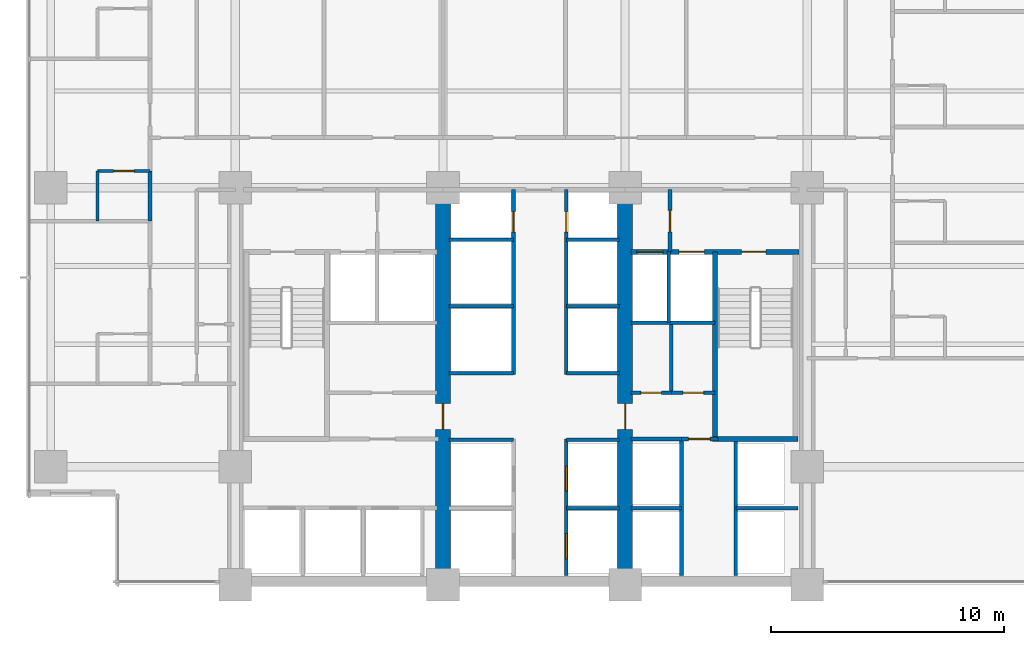
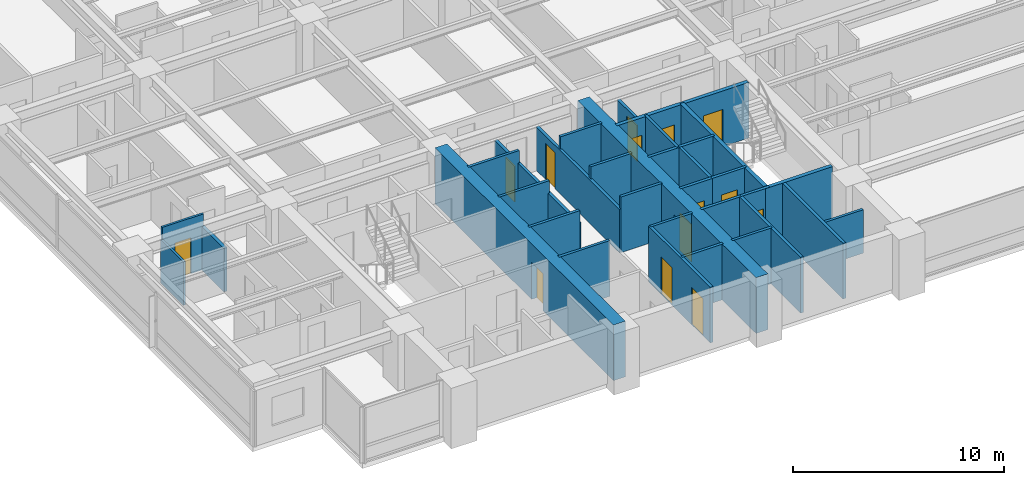
# One storey, part 8 of 17: 32 walls, 14 doors, 14 openings.
"""IFC4 building model written with IfcOpenShell, lengths in metres."""

from ifc_helpers import new_model, si_unit, direction, frame, frame_2d, origin, place, context, subcontext, project, spatial, rectangle, extrude, material, layer, layer_set, type_object, element, fill, save


model = new_model("IFC4")

# Units and contexts
model_context = context("Model", 3, precision=1e-05, world=origin(), true_north=direction((0.0, 1.0)))
body_context = subcontext(model_context, "Body", "Model", "MODEL_VIEW")
ifc_project = project(units=[si_unit("LENGTHUNIT", "METRE"), si_unit("AREAUNIT", "SQUARE_METRE"), si_unit("VOLUMEUNIT", "CUBIC_METRE"), si_unit("PLANEANGLEUNIT", "RADIAN"), si_unit("MASSUNIT", "GRAM", prefix="KILO")], contexts=[model_context])

# Site, building, storey
site_placement = place(None, origin())
site = spatial("IfcSite", under=ifc_project, at=site_placement, CompositionType="ELEMENT")
building_placement = place(site_placement, origin())
building = spatial("IfcBuilding", under=site, at=building_placement, Name="Qalmaran Belvedere Hotel", CompositionType="ELEMENT")
storey_placement = place(building_placement, frame((0.0, 0.0, 40.39990234375)))
storey = spatial("IfcBuildingStorey", under=building, at=storey_placement, Name="L09", CompositionType="ELEMENT", Elevation=40.39990234375)

# Wall, opening, door
ifc_material_1 = material(Name="Concrete C60/75", Category="concrete")
ifc_layer_1 = layer(ifc_material_1, 0.64990234375, Name="Concrete C60/75")
ifc_layer_set_1 = layer_set([ifc_layer_1], Name="Concrete C60/75")
wall_type_1 = type_object("IfcWallType", Name="WL-CORE-650-C60", PredefinedType="SHEAR", material=ifc_layer_set_1)
wall_1_placement = place(storey_placement, frame((29.199951171875, 3.5, 0.0), z_axis=(0.0, 0.0, 1.0), x_axis=(0.0, 1.0, 0.0)))
wall_1 = element("IfcWall", 1, at=wall_1_placement, inside=storey, type_object=wall_type_1, Name="L09 Core West Spine Shear Wall", PredefinedType="SHEAR", context=body_context, shape_type="SweptSolid", body=[
    extrude(rectangle(XDim=16.89990234375, YDim=0.64990234375, at=frame_2d((8.449951171875, 0.0))), origin(), (0.0, 0.0, 1.0), 3.22021484375),
])
opening_1_placement = place(wall_1_placement, frame((7.75, 0.0, 0.0), z_axis=(0.0, 0.0, 1.0), x_axis=(-1.0, 0.0, 0.0)))
opening_1 = element("IfcOpeningElement", 2, at=opening_1_placement, cuts=wall_1, Name="Opening FD90", PredefinedType="OPENING", context=body_context, shape_type="SweptSolid", body=[
    extrude(rectangle(XDim=1.10009765625, YDim=2.14990234375, at=frame_2d((0.550048828125, 1.074951171875))), frame((0.0, 0.3349609375, 0.0), z_axis=(0.0, -1.0, 0.0), x_axis=(1.0, 0.0, 0.0)), (0.0, 0.0, 1.0), 0.669921875),
])
ifc_material_2 = material(Name="Steel S355JR", Category="steel")
door_type_1 = type_object("IfcDoorType", Name="DR-FD90-1100X2150", OperationType="NOTDEFINED", PredefinedType="DOOR", material=ifc_material_2)
door_1_placement = place(opening_1_placement, origin())
door_1 = element("IfcDoor", 3, at=door_1_placement, inside=storey, type_object=door_type_1, Name="L09 Core West Cross-Lobby Door", OperationType="SINGLE_SWING_RIGHT", OverallHeight=2.14990234375, OverallWidth=1.10009765625, PredefinedType="DOOR", context=body_context, shape_type="SweptSolid", body=[
    extrude(rectangle(XDim=1.10009765625, YDim=2.14990234375, at=frame_2d((0.550048828125, 1.074951171875))), frame((0.0, 0.02490234375, 0.0), z_axis=(0.0, -1.0, 0.0), x_axis=(1.0, 0.0, 0.0)), (0.0, 0.0, 1.0), 0.050048828125),
])
fill(opening_1, door_1)

wall_2_placement = place(storey_placement, frame((37.0, 3.5, 0.0), z_axis=(0.0, 0.0, 1.0), x_axis=(0.0, 1.0, 0.0)))
wall_2 = element("IfcWall", 4, at=wall_2_placement, inside=storey, type_object=wall_type_1, Name="L09 Core East Spine Shear Wall", PredefinedType="SHEAR", context=body_context, shape_type="SweptSolid", body=[
    extrude(rectangle(XDim=16.89990234375, YDim=0.64990234375, at=frame_2d((8.449951171875, 0.0))), origin(), (0.0, 0.0, 1.0), 3.22021484375),
])
opening_2_placement = place(wall_2_placement, frame((6.64990234375, 0.0, 0.0)))
opening_2 = element("IfcOpeningElement", 5, at=opening_2_placement, cuts=wall_2, Name="Opening FD90", PredefinedType="OPENING", context=body_context, shape_type="SweptSolid", body=[
    extrude(rectangle(XDim=1.10009765625, YDim=2.14990234375, at=frame_2d((0.550048828125, 1.074951171875))), frame((0.0, 0.3349609375, 0.0), z_axis=(0.0, -1.0, 0.0), x_axis=(1.0, 0.0, 0.0)), (0.0, 0.0, 1.0), 0.669921875),
])
door_2_placement = place(opening_2_placement, origin())
door_2 = element("IfcDoor", 6, at=door_2_placement, inside=storey, type_object=door_type_1, Name="L09 Core East Cross-Lobby Door", OperationType="SINGLE_SWING_LEFT", OverallHeight=2.14990234375, OverallWidth=1.10009765625, PredefinedType="DOOR", context=body_context, shape_type="SweptSolid", body=[
    extrude(rectangle(XDim=1.10009765625, YDim=2.14990234375, at=frame_2d((0.550048828125, 1.074951171875))), frame((0.0, 0.02490234375, 0.0), z_axis=(0.0, -1.0, 0.0), x_axis=(1.0, 0.0, 0.0)), (0.0, 0.0, 1.0), 0.050048828125),
])
fill(opening_2, door_2)

ifc_material_3 = material(Name="Moisture-Resistant Gypsum")
ifc_layer_2 = layer(ifc_material_3, 0.1201171875, Name="Moisture-Resistant Gypsum")
ifc_layer_set_2 = layer_set([ifc_layer_2], Name="Moisture-Resistant Gypsum")
wall_type_2 = type_object("IfcWallType", Name="WL-INT-120-BATH", PredefinedType="PARTITIONING", material=ifc_layer_set_2)
wall_3_placement = place(storey_placement, frame((14.39990234375, 21.216796875, 0.0), z_axis=(0.0, 0.0, 1.0), x_axis=(1.0, 0.0, 0.0)))
wall_3 = element("IfcWall", 7, at=wall_3_placement, inside=storey, type_object=wall_type_2, Name="L09 Partition WL-L09-WBN01", PredefinedType="PARTITIONING", context=body_context, shape_type="SweptSolid", body=[
    extrude(rectangle(XDim=2.25, YDim=0.1201171875, at=frame_2d((1.125, 0.0))), origin(), (0.0, 0.0, 1.0), 3.22021484375),
])
opening_3_placement = place(wall_3_placement, frame((1.56494140625, 0.0, 0.0), z_axis=(0.0, 0.0, 1.0), x_axis=(-1.0, 0.0, 0.0)))
opening_3 = element("IfcOpeningElement", 8, at=opening_3_placement, cuts=wall_3, Name="Opening D-BATH", PredefinedType="OPENING", context=body_context, shape_type="SweptSolid", body=[
    extrude(rectangle(XDim=0.8798828125, YDim=2.080078125, at=frame_2d((0.43994140625, 1.0400390625))), frame((0.0, 0.070068359375, 0.0), z_axis=(0.0, -1.0, 0.0), x_axis=(1.0, 0.0, 0.0)), (0.0, 0.0, 1.0), 0.14013671875),
])
ifc_material_4 = material(Name="Engineered Oak Veneer")
door_type_2 = type_object("IfcDoorType", Name="DR-INT-BATH-880X2080", OperationType="NOTDEFINED", PredefinedType="DOOR", material=ifc_material_4)
door_3_placement = place(opening_3_placement, origin())
door_3 = element("IfcDoor", 9, at=door_3_placement, inside=storey, type_object=door_type_2, Name="L09 W Ensuite Door 02", OperationType="SINGLE_SWING_LEFT", OverallHeight=2.080078125, OverallWidth=0.8798828125, PredefinedType="DOOR", context=body_context, shape_type="SweptSolid", body=[
    extrude(rectangle(XDim=0.8798828125, YDim=2.080078125, at=frame_2d((0.43994140625, 1.0400390625))), frame((0.0, 0.02490234375, 0.0), z_axis=(0.0, -1.0, 0.0), x_axis=(1.0, 0.0, 0.0)), (0.0, 0.0, 1.0), 0.050048828125),
])
fill(opening_3, door_3)

# Walls
wall_4_placement = place(storey_placement, frame((14.39990234375, 19.066650390625, 0.0), z_axis=(0.0, 0.0, 1.0), x_axis=(0.0, 1.0, 0.0)))
element("IfcWall", 10, at=wall_4_placement, inside=storey, type_object=wall_type_2, Name="L09 Partition WL-L09-WBS01", PredefinedType="PARTITIONING", context=body_context, shape_type="SweptSolid", body=[
    extrude(rectangle(XDim=2.150146484375, YDim=0.1201171875, at=frame_2d((1.0751953125, 0.0))), origin(), (0.0, 0.0, 1.0), 2.510009765625),
])
ifc_material_5 = material(Name="Gypsum Stud Partition")
ifc_layer_3 = layer(ifc_material_5, 0.14990234375, Name="Gypsum Stud Partition")
ifc_layer_set_3 = layer_set([ifc_layer_3], Name="Gypsum Stud Partition")
wall_type_3 = type_object("IfcWallType", Name="WL-INT-150-EI120", PredefinedType="PARTITIONING", material=ifc_layer_set_3)
wall_5_placement = place(storey_placement, frame((38.8798828125, 14.719970703125, 0.0), z_axis=(0.0, 0.0, 1.0), x_axis=(0.0, 1.0, 0.0)))
element("IfcWall", 11, at=wall_5_placement, inside=storey, type_object=wall_type_3, Name="L09 Partition WL-FF2M-L09", PredefinedType="PARTITIONING", context=body_context, shape_type="SweptSolid", body=[
    extrude(rectangle(XDim=3.0400390625, YDim=0.14990234375, at=frame_2d((1.52001953125, 0.0))), origin(), (0.0, 0.0, 1.0), 3.22021484375),
])
wall_6_placement = place(storey_placement, frame((37.25, 6.780029296875, 0.0), z_axis=(0.0, 0.0, 1.0), x_axis=(1.0, 0.0, 0.0)))
element("IfcWall", 12, at=wall_6_placement, inside=storey, type_object=wall_type_3, Name="L09 Partition WL-PHMW-L09", PredefinedType="PARTITIONING", context=body_context, shape_type="SweptSolid", body=[
    extrude(rectangle(XDim=2.169921875, YDim=0.14990234375, at=frame_2d((1.0849609375, 0.0))), origin(), (0.0, 0.0, 1.0), 3.22021484375),
])
wall_7_placement = place(storey_placement, frame((41.739990234375, 6.780029296875, 0.0), z_axis=(0.0, 0.0, 1.0), x_axis=(1.0, 0.0, 0.0)))
element("IfcWall", 13, at=wall_7_placement, inside=storey, type_object=wall_type_3, Name="L09 Partition WL-PHME-L09", PredefinedType="PARTITIONING", context=body_context, shape_type="SweptSolid", body=[
    extrude(rectangle(XDim=2.659912109375, YDim=0.14990234375, at=frame_2d((1.330078125, 0.0))), origin(), (0.0, 0.0, 1.0), 2.510009765625),
])
wall_8_placement = place(storey_placement, frame((34.47998046875, 6.780029296875, 0.0), z_axis=(0.0, 0.0, 1.0), x_axis=(1.0, 0.0, 0.0)))
element("IfcWall", 14, at=wall_8_placement, inside=storey, type_object=wall_type_3, Name="L09 Partition WL-PLE-L09-67", PredefinedType="PARTITIONING", context=body_context, shape_type="SweptSolid", body=[
    extrude(rectangle(XDim=2.27001953125, YDim=0.14990234375, at=frame_2d((1.135009765625, 0.0))), origin(), (0.0, 0.0, 1.0), 3.22021484375),
])
wall_9_placement = place(storey_placement, frame((29.449951171875, 9.699951171875, 0.0), z_axis=(0.0, 0.0, 1.0), x_axis=(1.0, 0.0, 0.0)))
element("IfcWall", 15, at=wall_9_placement, inside=storey, type_object=wall_type_3, Name="L09 Partition WL-PLW-L09-97", PredefinedType="PARTITIONING", context=body_context, shape_type="SweptSolid", body=[
    extrude(rectangle(XDim=2.77001953125, YDim=0.14990234375, at=frame_2d((1.385009765625, 0.0))), origin(), (0.0, 0.0, 1.0), 3.22021484375),
])
wall_10_placement = place(storey_placement, frame((34.47998046875, 9.699951171875, 0.0), z_axis=(0.0, 0.0, 1.0), x_axis=(1.0, 0.0, 0.0)))
element("IfcWall", 16, at=wall_10_placement, inside=storey, type_object=wall_type_3, Name="L09 Partition WL-PLE-L09-97", PredefinedType="PARTITIONING", context=body_context, shape_type="SweptSolid", body=[
    extrude(rectangle(XDim=2.27001953125, YDim=0.14990234375, at=frame_2d((1.135009765625, 0.0))), origin(), (0.0, 0.0, 1.0), 3.22021484375),
])
wall_11_placement = place(storey_placement, frame((29.449951171875, 12.550048828125, 0.0), z_axis=(0.0, 0.0, 1.0), x_axis=(1.0, 0.0, 0.0)))
element("IfcWall", 17, at=wall_11_placement, inside=storey, type_object=wall_type_3, Name="L09 Partition WL-PMW-L09-125", PredefinedType="PARTITIONING", context=body_context, shape_type="SweptSolid", body=[
    extrude(rectangle(XDim=2.77001953125, YDim=0.14990234375, at=frame_2d((1.385009765625, 0.0))), origin(), (0.0, 0.0, 1.0), 3.22021484375),
])
wall_12_placement = place(storey_placement, frame((34.47998046875, 12.550048828125, 0.0), z_axis=(0.0, 0.0, 1.0), x_axis=(1.0, 0.0, 0.0)))
element("IfcWall", 18, at=wall_12_placement, inside=storey, type_object=wall_type_3, Name="L09 Partition WL-PME-L09-125", PredefinedType="PARTITIONING", context=body_context, shape_type="SweptSolid", body=[
    extrude(rectangle(XDim=2.27001953125, YDim=0.14990234375, at=frame_2d((1.135009765625, 0.0))), origin(), (0.0, 0.0, 1.0), 3.22021484375),
])
wall_13_placement = place(storey_placement, frame((29.449951171875, 15.419921875, 0.0), z_axis=(0.0, 0.0, 1.0), x_axis=(1.0, 0.0, 0.0)))
element("IfcWall", 19, at=wall_13_placement, inside=storey, type_object=wall_type_3, Name="L09 Partition WL-PMW-L09-154", PredefinedType="PARTITIONING", context=body_context, shape_type="SweptSolid", body=[
    extrude(rectangle(XDim=2.77001953125, YDim=0.14990234375, at=frame_2d((1.385009765625, 0.0))), origin(), (0.0, 0.0, 1.0), 3.22021484375),
])
wall_14_placement = place(storey_placement, frame((34.47998046875, 15.419921875, 0.0), z_axis=(0.0, 0.0, 1.0), x_axis=(1.0, 0.0, 0.0)))
element("IfcWall", 20, at=wall_14_placement, inside=storey, type_object=wall_type_3, Name="L09 Partition WL-PME-L09-154", PredefinedType="PARTITIONING", context=body_context, shape_type="SweptSolid", body=[
    extrude(rectangle(XDim=2.27001953125, YDim=0.14990234375, at=frame_2d((1.135009765625, 0.0))), origin(), (0.0, 0.0, 1.0), 3.22021484375),
])
wall_15_placement = place(storey_placement, frame((29.449951171875, 18.280029296875, 0.0), z_axis=(0.0, 0.0, 1.0), x_axis=(1.0, 0.0, 0.0)))
element("IfcWall", 21, at=wall_15_placement, inside=storey, type_object=wall_type_3, Name="L09 Partition WL-PMW-L09-182", PredefinedType="PARTITIONING", context=body_context, shape_type="SweptSolid", body=[
    extrude(rectangle(XDim=2.77001953125, YDim=0.14990234375, at=frame_2d((1.385009765625, 0.0))), origin(), (0.0, 0.0, 1.0), 3.22021484375),
])
wall_16_placement = place(storey_placement, frame((34.47998046875, 18.280029296875, 0.0), z_axis=(0.0, 0.0, 1.0), x_axis=(1.0, 0.0, 0.0)))
element("IfcWall", 22, at=wall_16_placement, inside=storey, type_object=wall_type_3, Name="L09 Partition WL-PME-L09-182", PredefinedType="PARTITIONING", context=body_context, shape_type="SweptSolid", body=[
    extrude(rectangle(XDim=2.27001953125, YDim=0.14990234375, at=frame_2d((1.135009765625, 0.0))), origin(), (0.0, 0.0, 1.0), 3.22021484375),
])
ifc_layer_4 = layer(ifc_material_5, 0.14990234375, Name="Gypsum Stud Partition")
ifc_layer_set_4 = layer_set([ifc_layer_4], Name="Gypsum Stud Partition")
wall_type_4 = type_object("IfcWallType", Name="WL-INT-150-EI60", PredefinedType="PARTITIONING", material=ifc_layer_set_4)
wall_17_placement = place(storey_placement, frame((38.98291015625, 11.719970703125, 0.0), z_axis=(0.0, 0.0, 1.0), x_axis=(0.0, 1.0, 0.0)))
element("IfcWall", 23, at=wall_17_placement, inside=storey, type_object=wall_type_4, Name="L09 Partition WL-L09-KEV1", PredefinedType="PARTITIONING", context=body_context, shape_type="SweptSolid", body=[
    extrude(rectangle(XDim=2.929931640625, YDim=0.14990234375, at=frame_2d((1.46484375, 0.0))), origin(), (0.0, 0.0, 1.0), 3.22021484375),
])

# Wall, opening, door
ifc_layer_5 = layer(ifc_material_5, 0.159912109375, Name="Gypsum Stud Partition")
ifc_layer_set_5 = layer_set([ifc_layer_5], Name="Gypsum Stud Partition")
wall_type_5 = type_object("IfcWallType", Name="WL-INT-160-EI120", PredefinedType="PARTITIONING", material=ifc_layer_set_5)
wall_18_placement = place(storey_placement, frame((38.919921875, 17.760009765625, 0.0), z_axis=(0.0, 0.0, 1.0), x_axis=(0.0, 1.0, 0.0)))
wall_18 = element("IfcWall", 24, at=wall_18_placement, inside=storey, type_object=wall_type_5, Name="L09 Partition WL-FFSV2-L09", PredefinedType="PARTITIONING", context=body_context, shape_type="SweptSolid", body=[
    extrude(rectangle(XDim=2.659912109375, YDim=0.159912109375, at=frame_2d((1.330078125, 0.0))), origin(), (0.0, 0.0, 1.0), 2.510009765625),
])
opening_4_placement = place(wall_18_placement, frame((1.77001953125, 0.0, 0.0), z_axis=(0.0, 0.0, 1.0), x_axis=(-1.0, 0.0, 0.0)))
opening_4 = element("IfcOpeningElement", 25, at=opening_4_placement, cuts=wall_18, Name="Opening FD60S1", PredefinedType="OPENING", context=body_context, shape_type="SweptSolid", body=[
    extrude(rectangle(XDim=0.919921875, YDim=2.080078125, at=frame_2d((0.4599609375, 1.0400390625))), frame((0.0, 0.08984375, 0.0), z_axis=(0.0, -1.0, 0.0), x_axis=(1.0, 0.0, 0.0)), (0.0, 0.0, 1.0), 0.179931640625),
])
door_type_3 = type_object("IfcDoorType", Name="DR-FD60S-920X2080", OperationType="NOTDEFINED", PredefinedType="DOOR", material=ifc_material_4)
door_4_placement = place(opening_4_placement, origin())
door_4 = element("IfcDoor", 26, at=door_4_placement, inside=storey, type_object=door_type_3, Name="L09 Service Lobby East Door", OperationType="SINGLE_SWING_LEFT", OverallHeight=2.080078125, OverallWidth=0.919921875, PredefinedType="DOOR", context=body_context, shape_type="SweptSolid", body=[
    extrude(rectangle(XDim=0.919921875, YDim=2.080078125, at=frame_2d((0.4599609375, 1.0400390625))), frame((0.0, 0.02490234375, 0.0), z_axis=(0.0, -1.0, 0.0), x_axis=(1.0, 0.0, 0.0)), (0.0, 0.0, 1.0), 0.050048828125),
])
fill(opening_4, door_4)

# Walls
wall_19_placement = place(storey_placement, frame((37.25, 14.719970703125, 0.0), z_axis=(0.0, 0.0, 1.0), x_axis=(1.0, 0.0, 0.0)))
element("IfcWall", 27, at=wall_19_placement, inside=storey, type_object=wall_type_5, Name="L09 Partition WL-FF2S-L09", PredefinedType="PARTITIONING", context=body_context, shape_type="SweptSolid", body=[
    extrude(rectangle(XDim=3.610107421875, YDim=0.159912109375, at=frame_2d((1.80517578125, 0.0))), origin(), (0.0, 0.0, 1.0), 3.22021484375),
])
for number, where, z_axis, x_axis, name in (
    (28, (39.419921875, 3.89990234375, 0.0), (0.0, 0.0, 1.0), (0.0, 1.0, 0.0), "L09 Partition WL-PHW-L09"),
    (29, (41.739990234375, 3.89990234375, 0.0), (0.0, 0.0, 1.0), (0.0, 1.0, 0.0), "L09 Partition WL-PHE-L09"),
):
    element("IfcWall", number, at=place(storey_placement, frame(where, z_axis=z_axis, x_axis=x_axis)), inside=storey, type_object=wall_type_5, Name=name, PredefinedType="PARTITIONING", context=body_context, shape_type="SweptSolid", body=[
        extrude(rectangle(XDim=5.840087890625, YDim=0.159912109375, at=frame_2d((2.919921875, 0.0))), origin(), (0.0, 0.0, 1.0), 3.22021484375),
    ])
wall_20_placement = place(storey_placement, frame((37.25, 9.739990234375, 0.0), z_axis=(0.0, 0.0, 1.0), x_axis=(1.0, 0.0, 0.0)))
element("IfcWall", 30, at=wall_20_placement, inside=storey, type_object=wall_type_5, Name="L09 Partition WL-PHNW-L09", PredefinedType="PARTITIONING", context=body_context, shape_type="SweptSolid", body=[
    extrude(rectangle(XDim=2.169921875, YDim=0.159912109375, at=frame_2d((1.0849609375, 0.0))), origin(), (0.0, 0.0, 1.0), 3.22021484375),
])

# Wall, opening, door
wall_21_placement = place(storey_placement, frame((39.419921875, 9.739990234375, 0.0), z_axis=(0.0, 0.0, 1.0), x_axis=(1.0, 0.0, 0.0)))
wall_21 = element("IfcWall", 31, at=wall_21_placement, inside=storey, type_object=wall_type_5, Name="L09 Partition WL-PHNL-L09", PredefinedType="PARTITIONING", context=body_context, shape_type="SweptSolid", body=[
    extrude(rectangle(XDim=1.56005859375, YDim=0.159912109375, at=frame_2d((0.780029296875, 0.0))), origin(), (0.0, 0.0, 1.0), 3.22021484375),
])
opening_5_placement = place(wall_21_placement, frame((0.300048828125, 0.0, 0.0)))
opening_5 = element("IfcOpeningElement", 32, at=opening_5_placement, cuts=wall_21, Name="Opening FD60S1", PredefinedType="OPENING", context=body_context, shape_type="SweptSolid", body=[
    extrude(rectangle(XDim=0.919921875, YDim=2.080078125, at=frame_2d((0.4599609375, 1.0400390625))), frame((0.0, 0.08984375, 0.0), z_axis=(0.0, -1.0, 0.0), x_axis=(1.0, 0.0, 0.0)), (0.0, 0.0, 1.0), 0.179931640625),
])
door_5_placement = place(opening_5_placement, origin())
door_5 = element("IfcDoor", 33, at=door_5_placement, inside=storey, type_object=door_type_3, Name="L09 High-Rise Lift Lobby Passage Door", OperationType="SINGLE_SWING_LEFT", OverallHeight=2.080078125, OverallWidth=0.919921875, PredefinedType="DOOR", context=body_context, shape_type="SweptSolid", body=[
    extrude(rectangle(XDim=0.919921875, YDim=2.080078125, at=frame_2d((0.4599609375, 1.0400390625))), frame((0.0, 0.02490234375, 0.0), z_axis=(0.0, -1.0, 0.0), x_axis=(1.0, 0.0, 0.0)), (0.0, 0.0, 1.0), 0.050048828125),
])
fill(opening_5, door_5)

# Wall, openings, doors
wall_22_placement = place(storey_placement, frame((34.47998046875, 3.89990234375, 0.0), z_axis=(0.0, 0.0, 1.0), x_axis=(0.0, 1.0, 0.0)))
wall_22 = element("IfcWall", 34, at=wall_22_placement, inside=storey, type_object=wall_type_5, Name="L09 Partition WL-CLBES-L09", PredefinedType="PARTITIONING", context=body_context, shape_type="SweptSolid", body=[
    extrude(rectangle(XDim=5.840087890625, YDim=0.159912109375, at=frame_2d((2.919921875, 0.0))), origin(), (0.0, 0.0, 1.0), 3.22021484375),
])
opening_6_placement = place(wall_22_placement, frame((0.699951171875, 0.0, 0.0)))
opening_6 = element("IfcOpeningElement", 35, at=opening_6_placement, cuts=wall_22, Name="Opening LD-P1", PredefinedType="OPENING", context=body_context, shape_type="SweptSolid", body=[
    extrude(rectangle(XDim=1.080078125, YDim=2.159912109375, at=frame_2d((0.5400390625, 1.080078125))), frame((0.0, 0.08984375, 0.0), z_axis=(0.0, -1.0, 0.0), x_axis=(1.0, 0.0, 0.0)), (0.0, 0.0, 1.0), 0.179931640625),
])
opening_7_placement = place(wall_22_placement, frame((3.60009765625, 0.0, 0.0)))
opening_7 = element("IfcOpeningElement", 36, at=opening_7_placement, cuts=wall_22, Name="Opening LD-P1", PredefinedType="OPENING", context=body_context, shape_type="SweptSolid", body=[
    extrude(rectangle(XDim=1.080078125, YDim=2.159912109375, at=frame_2d((0.5400390625, 1.080078125))), frame((0.0, 0.08984375, 0.0), z_axis=(0.0, -1.0, 0.0), x_axis=(1.0, 0.0, 0.0)), (0.0, 0.0, 1.0), 0.179931640625),
])
ifc_material_6 = material(Name="Stainless Steel 1.4401", Category="steel")
door_type_4 = type_object("IfcDoorType", Name="DR-LIFT-P1-1080X2160", OperationType="DOUBLE_DOOR_SLIDING", PredefinedType="DOOR", material=ifc_material_6)
door_6_placement = place(opening_6_placement, origin())
door_6 = element("IfcDoor", 37, at=door_6_placement, inside=storey, type_object=door_type_4, Name="L09 PL3 Lift Landing Door", OperationType="DOUBLE_DOOR_SLIDING", OverallHeight=2.159912109375, OverallWidth=1.080078125, PredefinedType="DOOR", context=body_context, shape_type="SweptSolid", body=[
    extrude(rectangle(XDim=1.080078125, YDim=2.159912109375, at=frame_2d((0.5400390625, 1.080078125))), frame((0.0, 0.02490234375, 0.0), z_axis=(0.0, -1.0, 0.0), x_axis=(1.0, 0.0, 0.0)), (0.0, 0.0, 1.0), 0.050048828125),
])
fill(opening_6, door_6)
door_7_placement = place(opening_7_placement, origin())
door_7 = element("IfcDoor", 38, at=door_7_placement, inside=storey, type_object=door_type_4, Name="L09 PL4 Lift Landing Door", OperationType="DOUBLE_DOOR_SLIDING", OverallHeight=2.159912109375, OverallWidth=1.080078125, PredefinedType="DOOR", context=body_context, shape_type="SweptSolid", body=[
    extrude(rectangle(XDim=1.080078125, YDim=2.159912109375, at=frame_2d((0.5400390625, 1.080078125))), frame((0.0, 0.02490234375, 0.0), z_axis=(0.0, -1.0, 0.0), x_axis=(1.0, 0.0, 0.0)), (0.0, 0.0, 1.0), 0.050048828125),
])
fill(opening_7, door_7)

# Wall, opening, door
wall_23_placement = place(storey_placement, frame((32.219970703125, 12.5, 0.0), z_axis=(0.0, 0.0, 1.0), x_axis=(0.0, 1.0, 0.0)))
wall_23 = element("IfcWall", 39, at=wall_23_placement, inside=storey, type_object=wall_type_5, Name="L09 Partition WL-CLBWN-L09", PredefinedType="PARTITIONING", context=body_context, shape_type="SweptSolid", body=[
    extrude(rectangle(XDim=7.919921875, YDim=0.159912109375, at=frame_2d((3.9599609375, 0.0))), origin(), (0.0, 0.0, 1.0), 2.510009765625),
])
opening_8_placement = place(wall_23_placement, frame((6.10009765625, 0.0, 0.0)))
opening_8 = element("IfcOpeningElement", 40, at=opening_8_placement, cuts=wall_23, Name="Opening FD60B", PredefinedType="OPENING", context=body_context, shape_type="SweptSolid", body=[
    extrude(rectangle(XDim=0.8798828125, YDim=2.080078125, at=frame_2d((0.43994140625, 1.0400390625))), frame((0.0, 0.08984375, 0.0), z_axis=(0.0, -1.0, 0.0), x_axis=(1.0, 0.0, 0.0)), (0.0, 0.0, 1.0), 0.179931640625),
])
door_type_5 = type_object("IfcDoorType", Name="DR-FD60B-880X2080", OperationType="NOTDEFINED", PredefinedType="DOOR", material=ifc_material_2)
door_8_placement = place(opening_8_placement, origin())
door_8 = element("IfcDoor", 41, at=door_8_placement, inside=storey, type_object=door_type_5, Name="L09 West Riser Access Door", OperationType="SINGLE_SWING_RIGHT", OverallHeight=2.080078125, OverallWidth=0.8798828125, PredefinedType="DOOR", context=body_context, shape_type="SweptSolid", body=[
    extrude(rectangle(XDim=0.8798828125, YDim=2.080078125, at=frame_2d((0.43994140625, 1.0400390625))), frame((0.0, 0.02490234375, 0.0), z_axis=(0.0, -1.0, 0.0), x_axis=(1.0, 0.0, 0.0)), (0.0, 0.0, 1.0), 0.050048828125),
])
fill(opening_8, door_8)

wall_24_placement = place(storey_placement, frame((34.47998046875, 12.5, 0.0), z_axis=(0.0, 0.0, 1.0), x_axis=(0.0, 1.0, 0.0)))
wall_24 = element("IfcWall", 42, at=wall_24_placement, inside=storey, type_object=wall_type_5, Name="L09 Partition WL-CLBEN-L09", PredefinedType="PARTITIONING", context=body_context, shape_type="SweptSolid", body=[
    extrude(rectangle(XDim=7.919921875, YDim=0.159912109375, at=frame_2d((3.9599609375, 0.0))), origin(), (0.0, 0.0, 1.0), 2.510009765625),
])
opening_9_placement = place(wall_24_placement, frame((6.97998046875, 0.0, 0.0), z_axis=(0.0, 0.0, 1.0), x_axis=(-1.0, 0.0, 0.0)))
opening_9 = element("IfcOpeningElement", 43, at=opening_9_placement, cuts=wall_24, Name="Opening FD60B", PredefinedType="OPENING", context=body_context, shape_type="SweptSolid", body=[
    extrude(rectangle(XDim=0.8798828125, YDim=2.080078125, at=frame_2d((0.43994140625, 1.0400390625))), frame((0.0, 0.08984375, 0.0), z_axis=(0.0, -1.0, 0.0), x_axis=(1.0, 0.0, 0.0)), (0.0, 0.0, 1.0), 0.179931640625),
])
door_9_placement = place(opening_9_placement, origin())
door_9 = element("IfcDoor", 44, at=door_9_placement, inside=storey, type_object=door_type_5, Name="L09 East Riser Access Door", OperationType="SINGLE_SWING_LEFT", OverallHeight=2.080078125, OverallWidth=0.8798828125, PredefinedType="DOOR", context=body_context, shape_type="SweptSolid", body=[
    extrude(rectangle(XDim=0.8798828125, YDim=2.080078125, at=frame_2d((0.43994140625, 1.0400390625))), frame((0.0, 0.02490234375, 0.0), z_axis=(0.0, -1.0, 0.0), x_axis=(1.0, 0.0, 0.0)), (0.0, 0.0, 1.0), 0.050048828125),
])
fill(opening_9, door_9)

ifc_layer_6 = layer(ifc_material_5, 0.159912109375, Name="Gypsum Stud Partition")
ifc_layer_set_6 = layer_set([ifc_layer_6], Name="Gypsum Stud Partition")
wall_type_6 = type_object("IfcWallType", Name="WL-INT-160-EI60", PredefinedType="PARTITIONING", material=ifc_layer_set_6)
wall_25_placement = place(storey_placement, frame((37.25, 11.719970703125, 0.0), z_axis=(0.0, 0.0, 1.0), x_axis=(1.0, 0.0, 0.0)))
wall_25 = element("IfcWall", 45, at=wall_25_placement, inside=storey, type_object=wall_type_6, Name="L09 Partition WL-L09-KEE1", PredefinedType="PARTITIONING", context=body_context, shape_type="SweptSolid", body=[
    extrude(rectangle(XDim=1.73291015625, YDim=0.159912109375, at=frame_2d((0.866455078125, 0.0))), origin(), (0.0, 0.0, 1.0), 3.22021484375),
])
opening_10_placement = place(wall_25_placement, frame((0.426513671875, 0.0, 0.0)))
opening_10 = element("IfcOpeningElement", 46, at=opening_10_placement, cuts=wall_25, Name="Opening FD60B", PredefinedType="OPENING", context=body_context, shape_type="SweptSolid", body=[
    extrude(rectangle(XDim=0.8798828125, YDim=2.080078125, at=frame_2d((0.43994140625, 1.0400390625))), frame((0.0, 0.08984375, 0.0), z_axis=(0.0, -1.0, 0.0), x_axis=(1.0, 0.0, 0.0)), (0.0, 0.0, 1.0), 0.179931640625),
])
door_10_placement = place(opening_10_placement, origin())
door_10 = element("IfcDoor", 47, at=door_10_placement, inside=storey, type_object=door_type_5, Name="L09 Cleaner Equipment Store Door", OperationType="SINGLE_SWING_RIGHT", OverallHeight=2.080078125, OverallWidth=0.8798828125, PredefinedType="DOOR", context=body_context, shape_type="SweptSolid", body=[
    extrude(rectangle(XDim=0.8798828125, YDim=2.080078125, at=frame_2d((0.43994140625, 1.0400390625))), frame((0.0, 0.02490234375, 0.0), z_axis=(0.0, -1.0, 0.0), x_axis=(1.0, 0.0, 0.0)), (0.0, 0.0, 1.0), 0.050048828125),
])
fill(opening_10, door_10)

wall_26_placement = place(storey_placement, frame((38.98291015625, 11.719970703125, 0.0), z_axis=(0.0, 0.0, 1.0), x_axis=(1.0, 0.0, 0.0)))
wall_26 = element("IfcWall", 48, at=wall_26_placement, inside=storey, type_object=wall_type_6, Name="L09 Partition WL-L09-KEE2", PredefinedType="PARTITIONING", context=body_context, shape_type="SweptSolid", body=[
    extrude(rectangle(XDim=1.877197265625, YDim=0.159912109375, at=frame_2d((0.9384765625, 0.0))), origin(), (0.0, 0.0, 1.0), 3.22021484375),
])
opening_11_placement = place(wall_26_placement, frame((0.49853515625, 0.0, 0.0)))
opening_11 = element("IfcOpeningElement", 49, at=opening_11_placement, cuts=wall_26, Name="Opening FD60B", PredefinedType="OPENING", context=body_context, shape_type="SweptSolid", body=[
    extrude(rectangle(XDim=0.8798828125, YDim=2.080078125, at=frame_2d((0.43994140625, 1.0400390625))), frame((0.0, 0.08984375, 0.0), z_axis=(0.0, -1.0, 0.0), x_axis=(1.0, 0.0, 0.0)), (0.0, 0.0, 1.0), 0.179931640625),
])
door_11_placement = place(opening_11_placement, origin())
door_11 = element("IfcDoor", 50, at=door_11_placement, inside=storey, type_object=door_type_5, Name="L09 Low Voltage Switch Room Door", OperationType="SINGLE_SWING_LEFT", OverallHeight=2.080078125, OverallWidth=0.8798828125, PredefinedType="DOOR", context=body_context, shape_type="SweptSolid", body=[
    extrude(rectangle(XDim=0.8798828125, YDim=2.080078125, at=frame_2d((0.43994140625, 1.0400390625))), frame((0.0, 0.02490234375, 0.0), z_axis=(0.0, -1.0, 0.0), x_axis=(1.0, 0.0, 0.0)), (0.0, 0.0, 1.0), 0.050048828125),
])
fill(opening_11, door_11)

# Walls
ifc_layer_7 = layer(ifc_material_5, 0.179931640625, Name="Gypsum Stud Partition")
ifc_layer_set_7 = layer_set([ifc_layer_7], Name="Gypsum Stud Partition")
wall_type_7 = type_object("IfcWallType", Name="WL-INT-180-EI60", PredefinedType="PARTITIONING", material=ifc_layer_set_7)
wall_27_placement = place(storey_placement, frame((16.64990234375, 19.066650390625, 0.0), z_axis=(0.0, 0.0, 1.0), x_axis=(0.0, 1.0, 0.0)))
element("IfcWall", 51, at=wall_27_placement, inside=storey, type_object=wall_type_7, Name="L09 Partition WL-L09-WBC01", PredefinedType="PARTITIONING", context=body_context, shape_type="SweptSolid", body=[
    extrude(rectangle(XDim=2.150146484375, YDim=0.179931640625, at=frame_2d((1.0751953125, 0.0))), origin(), (0.0, 0.0, 1.0), 2.510009765625),
])
ifc_material_7 = material(Name="Concrete C50/60", Category="concrete")
ifc_layer_8 = layer(ifc_material_7, 0.2099609375, Name="Concrete C50/60")
ifc_layer_set_8 = layer_set([ifc_layer_8], Name="Concrete C50/60")
wall_type_8 = type_object("IfcWallType", Name="WL-STAIR-210-C50", PredefinedType="SHEAR", material=ifc_layer_set_8)
wall_28_placement = place(storey_placement, frame((40.85498046875, 9.7451171875, 0.0), z_axis=(0.0, 0.0, 1.0), x_axis=(0.0, 1.0, 0.0)))
element("IfcWall", 52, at=wall_28_placement, inside=storey, type_object=wall_type_8, Name="L09 Stair ST-2 West Bearing Wall", PredefinedType="SHEAR", context=body_context, shape_type="SweptSolid", body=[
    extrude(rectangle(XDim=8.009765625, YDim=0.2099609375, at=frame_2d((4.0048828125, 0.0))), origin(), (0.0, 0.0, 1.0), 3.22021484375),
])
wall_29_placement = place(storey_placement, frame((40.75, 9.7451171875, 0.0), z_axis=(0.0, 0.0, 1.0), x_axis=(1.0, 0.0, 0.0)))
element("IfcWall", 53, at=wall_29_placement, inside=storey, type_object=wall_type_8, Name="L09 Stair ST-2 South Bearing Wall", PredefinedType="SHEAR", context=body_context, shape_type="SweptSolid", body=[
    extrude(rectangle(XDim=3.659912109375, YDim=0.2099609375, at=frame_2d((1.830078125, 0.0))), origin(), (0.0, 0.0, 1.0), 3.22021484375),
])

# Wall, openings, doors
wall_30_placement = place(storey_placement, frame((37.25, 17.7548828125, 0.0), z_axis=(0.0, 0.0, 1.0), x_axis=(1.0, 0.0, 0.0)))
wall_30 = element("IfcWall", 54, at=wall_30_placement, inside=storey, type_object=wall_type_8, Name="L09 East Lobby and Stair ST-2 North Bearing Wall", PredefinedType="SHEAR", context=body_context, shape_type="SweptSolid", body=[
    extrude(rectangle(XDim=7.199951171875, YDim=0.2099609375, at=frame_2d((3.60009765625, 0.0))), origin(), (0.0, 0.0, 1.0), 3.22021484375),
])
opening_12_placement = place(wall_30_placement, frame((0.25, 0.0, 0.0)))
opening_12 = element("IfcOpeningElement", 55, at=opening_12_placement, cuts=wall_30, Name="Opening LD-SV", PredefinedType="OPENING", context=body_context, shape_type="SweptSolid", body=[
    extrude(rectangle(XDim=1.1201171875, YDim=2.199951171875, at=frame_2d((0.56005859375, 1.10009765625))), frame((0.0, 0.114990234375, 0.0), z_axis=(0.0, -1.0, 0.0), x_axis=(1.0, 0.0, 0.0)), (0.0, 0.0, 1.0), 0.22998046875),
])
opening_13_placement = place(wall_30_placement, frame((2.050048828125, 0.0, 0.0)))
opening_13 = element("IfcOpeningElement", 56, at=opening_13_placement, cuts=wall_30, Name="Opening LD-FF", PredefinedType="OPENING", context=body_context, shape_type="SweptSolid", body=[
    extrude(rectangle(XDim=1.10009765625, YDim=2.179931640625, at=frame_2d((0.550048828125, 1.08984375))), frame((0.0, 0.114990234375, 0.0), z_axis=(0.0, -1.0, 0.0), x_axis=(1.0, 0.0, 0.0)), (0.0, 0.0, 1.0), 0.22998046875),
])
opening_14_placement = place(wall_30_placement, frame((5.780029296875, 0.0, 0.0), z_axis=(0.0, 0.0, 1.0), x_axis=(-1.0, 0.0, 0.0)))
opening_14 = element("IfcOpeningElement", 57, at=opening_14_placement, cuts=wall_30, Name="Opening FD90S2", PredefinedType="OPENING", context=body_context, shape_type="SweptSolid", body=[
    extrude(rectangle(XDim=1.050048828125, YDim=2.14990234375, at=frame_2d((0.52490234375, 1.074951171875))), frame((0.0, 0.114990234375, 0.0), z_axis=(0.0, -1.0, 0.0), x_axis=(1.0, 0.0, 0.0)), (0.0, 0.0, 1.0), 0.22998046875),
])
door_type_6 = type_object("IfcDoorType", Name="DR-FD90S-1050X2150", OperationType="NOTDEFINED", PredefinedType="DOOR", material=ifc_material_2)
door_12_placement = place(opening_14_placement, origin())
door_12 = element("IfcDoor", 58, at=door_12_placement, inside=storey, type_object=door_type_6, Name="L09 Stair ST-2 Door", OperationType="SINGLE_SWING_LEFT", OverallHeight=2.14990234375, OverallWidth=1.050048828125, PredefinedType="DOOR", context=body_context, shape_type="SweptSolid", body=[
    extrude(rectangle(XDim=1.050048828125, YDim=2.14990234375, at=frame_2d((0.52490234375, 1.074951171875))), frame((0.0, 0.02490234375, 0.0), z_axis=(0.0, -1.0, 0.0), x_axis=(1.0, 0.0, 0.0)), (0.0, 0.0, 1.0), 0.050048828125),
])
fill(opening_14, door_12)
door_type_7 = type_object("IfcDoorType", Name="DR-LIFT-FF-1100X2180", OperationType="DOUBLE_DOOR_SLIDING", PredefinedType="DOOR", material=ifc_material_6)
door_13_placement = place(opening_13_placement, origin())
door_13 = element("IfcDoor", 59, at=door_13_placement, inside=storey, type_object=door_type_7, Name="L09 FF2 Lift Landing Door", OperationType="DOUBLE_DOOR_SLIDING", OverallHeight=2.179931640625, OverallWidth=1.10009765625, PredefinedType="DOOR", context=body_context, shape_type="SweptSolid", body=[
    extrude(rectangle(XDim=1.10009765625, YDim=2.179931640625, at=frame_2d((0.550048828125, 1.08984375))), frame((0.0, 0.02490234375, 0.0), z_axis=(0.0, -1.0, 0.0), x_axis=(1.0, 0.0, 0.0)), (0.0, 0.0, 1.0), 0.050048828125),
])
fill(opening_13, door_13)
door_type_8 = type_object("IfcDoorType", Name="DR-LIFT-SV-1120X2200", OperationType="DOUBLE_DOOR_SLIDING", PredefinedType="DOOR", material=ifc_material_6)
door_14_placement = place(opening_12_placement, origin())
door_14 = element("IfcDoor", 60, at=door_14_placement, inside=storey, type_object=door_type_8, Name="L09 SV2 Lift Landing Door", OperationType="DOUBLE_DOOR_SLIDING", OverallHeight=2.199951171875, OverallWidth=1.1201171875, PredefinedType="DOOR", context=body_context, shape_type="SweptSolid", body=[
    extrude(rectangle(XDim=1.1201171875, YDim=2.199951171875, at=frame_2d((0.56005859375, 1.10009765625))), frame((0.0, 0.02490234375, 0.0), z_axis=(0.0, -1.0, 0.0), x_axis=(1.0, 0.0, 0.0)), (0.0, 0.0, 1.0), 0.050048828125),
])
fill(opening_12, door_14)

save(model, "model.ifc")
